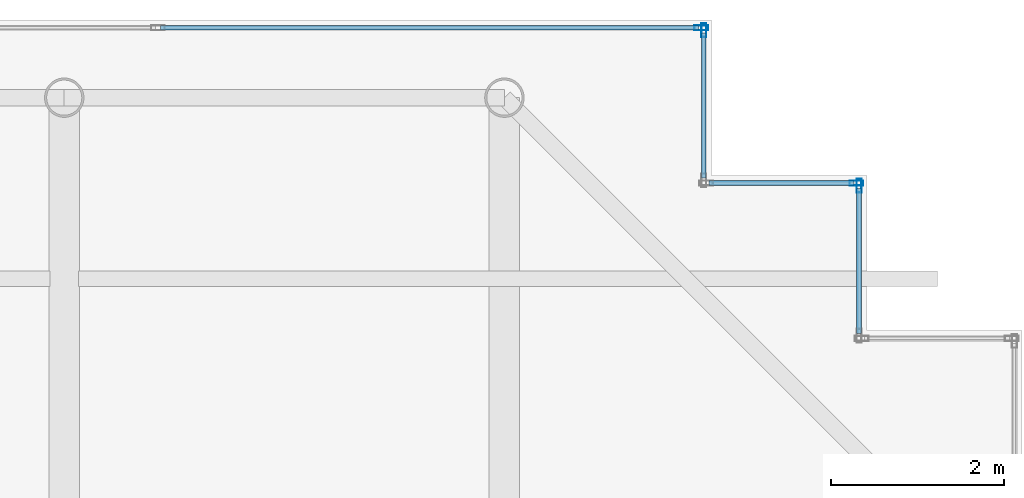
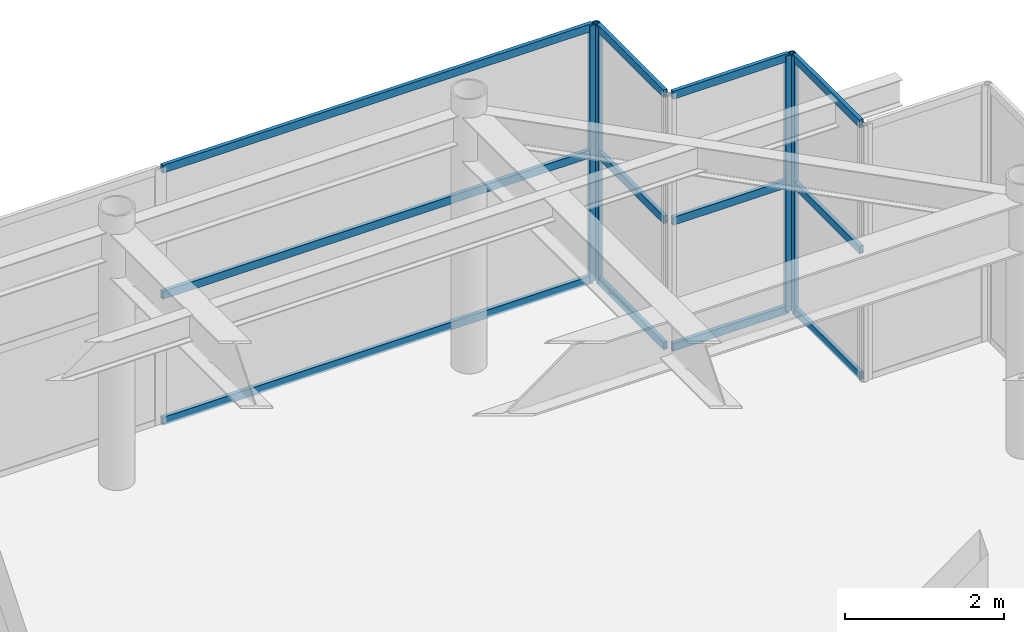
# One storey, part 28 of 32: 16 members, 4 elements without a shape of their own.
"""IFC4 building model written with IfcOpenShell, lengths in metres."""

import ifcopenshell
import ifcopenshell.guid

model = None  # the IFC model being written
_history = None  # IfcOwnerHistory: only IFC2X3 demands one
_inside = {}  # id of a spatial element -> (the spatial element, [elements in it])
_under = {}  # id of a project, library or spatial element -> (it, [spatial elements below it])
_declared = {}  # id of a project -> (the project, [libraries it declares])
_typed = {}  # id of a type object -> (the type object, [elements of that type])
_made_of = {}  # id of a material, layer set ... -> (it, [elements and type objects made of it])


def new_model(schema):
    """Start an empty IFC model of exactly this schema.

    Asked for "IFC4X3", IfcOpenShell would pick the latest addendum, in which some entities
    have other attributes; the version numbers below select the first issue.
    IFC2X3 requires an IfcOwnerHistory on every rooted entity: one is made here for all.
    """
    global model, _history
    if schema == "IFC4X3":
        model = ifcopenshell.file(schema_version=(4, 3, 0, 0))
    else:
        model = ifcopenshell.file(schema=schema)
    _inside.clear()
    _under.clear()
    _declared.clear()
    _typed.clear()
    _made_of.clear()
    _history = None
    if model.schema == "IFC2X3":
        org = make("IfcOrganization", Name="unknown")
        user = make(
            "IfcPersonAndOrganization",
            ThePerson=make("IfcPerson", FamilyName="unknown"),
            TheOrganization=org,
        )
        app = make(
            "IfcApplication",
            ApplicationDeveloper=org,
            Version="unknown",
            ApplicationFullName="unknown",
            ApplicationIdentifier="unknown",
        )
        _history = make(
            "IfcOwnerHistory",
            OwningUser=user,
            OwningApplication=app,
            ChangeAction="ADDED",
            CreationDate=0,
        )
    return model


def make(cls, **values):
    """One entity of the class cls with the attributes given. An attribute that is None is left unset."""
    return model.create_entity(
        cls, **{name: value for name, value in values.items() if value is not None}
    )


def rooted(cls, **values):
    """An entity with a GlobalId (a new one), such as an element, a storey or a relation."""
    return make(cls, GlobalId=ifcopenshell.guid.new(), OwnerHistory=_history, **values)


def si_unit(unit_type, name, prefix=None):
    """IfcSIUnit, for example si_unit("LENGTHUNIT", "METRE", prefix="MILLI")."""
    return make("IfcSIUnit", UnitType=unit_type, Prefix=prefix, Name=name)


def assignment(units):
    """IfcUnitAssignment: the units of a project."""
    return None if units is None else make("IfcUnitAssignment", Units=units)


def point(xyz):
    """IfcCartesianPoint."""
    return None if xyz is None else make("IfcCartesianPoint", Coordinates=xyz)


def direction(xyz):
    """IfcDirection."""
    return None if xyz is None else make("IfcDirection", DirectionRatios=xyz)


def frame(location, z_axis=None, x_axis=None):
    """IfcAxis2Placement3D, a coordinate frame: its origin and axes. An axis left out is left unset."""
    return make(
        "IfcAxis2Placement3D",
        Location=point(location),
        Axis=direction(z_axis),
        RefDirection=direction(x_axis),
    )


def frame_2d(location, x_axis=None):
    """IfcAxis2Placement2D, a coordinate frame in the plane: its origin and x axis."""
    return make(
        "IfcAxis2Placement2D", Location=point(location), RefDirection=direction(x_axis)
    )


def origin():
    """The frame at (0, 0, 0) with its axes left unset."""
    return frame((0.0, 0.0, 0.0))


def origin_2d():
    """The frame at (0, 0) in the plane with its x axis left unset."""
    return frame_2d((0.0, 0.0))


def place(relative_to, where):
    """IfcLocalPlacement: puts the frame where relative to a parent placement (None: the world)."""
    return make(
        "IfcLocalPlacement", PlacementRelTo=relative_to, RelativePlacement=where
    )


def context(
    kind, dimensions, precision=None, world=None, true_north=None, identifier=None
):
    """IfcGeometricRepresentationContext, for example the 3D "Model" context."""
    return make(
        "IfcGeometricRepresentationContext",
        ContextIdentifier=identifier,
        ContextType=kind,
        CoordinateSpaceDimension=dimensions,
        Precision=precision,
        WorldCoordinateSystem=world,
        TrueNorth=true_north,
    )


def subcontext(parent, identifier, kind, view, scale=None):
    """IfcGeometricRepresentationSubContext, for example "Body" below "Model"."""
    return make(
        "IfcGeometricRepresentationSubContext",
        ContextIdentifier=identifier,
        ContextType=kind,
        ParentContext=parent,
        TargetScale=scale,
        TargetView=view,
    )


def project(units=None, contexts=None):
    """IfcProject with its units and contexts."""
    return rooted(
        "IfcProject",
        Name="project",
        RepresentationContexts=contexts,
        UnitsInContext=assignment(units),
    )


def spatial(cls, under=None, at=None, **own):
    """A site, building, storey or space (cls), placed at a placement, below another one or the project."""
    s = rooted(cls, ObjectPlacement=at, **own)
    if under is not None:
        _under.setdefault(under.id(), (under, []))[1].append(s)
    return s


def profile(cls, at=None, kind="AREA", **sizes):
    """A parametric profile (cls). Its sizes go by their IFC names, for example OverallWidth=200.0."""
    return make(cls, ProfileType=kind, Position=at, **sizes)


def hollow_rectangle(**sizes):
    """IfcRectangleHollowProfileDef."""
    return profile("IfcRectangleHollowProfileDef", **sizes)


def extrude(swept, where, along, depth):
    """IfcExtrudedAreaSolid: the profile swept, set in the frame where, extruded along a direction by depth."""
    return make(
        "IfcExtrudedAreaSolid",
        SweptArea=swept,
        Position=where,
        ExtrudedDirection=direction(along),
        Depth=depth,
    )


def shape(context_of_items, identifier, shape_type, items):
    """IfcShapeRepresentation: the items that make up one representation, for example the "Body"."""
    return make(
        "IfcShapeRepresentation",
        ContextOfItems=context_of_items,
        RepresentationIdentifier=identifier,
        RepresentationType=shape_type,
        Items=items,
    )


def source(mapping_origin, context_of_items, identifier, shape_type, items):
    """IfcRepresentationMap: a shape defined once, which mapped items show again and again."""
    return make(
        "IfcRepresentationMap",
        MappingOrigin=mapping_origin,
        MappedRepresentation=shape(context_of_items, identifier, shape_type, items),
    )


def transform(
    local_origin,
    x_axis=None,
    y_axis=None,
    z_axis=None,
    scale=None,
    scale2=None,
    scale3=None,
    uniform=True,
):
    """IfcCartesianTransformationOperator3D, or its non-uniform kind. x_axis, y_axis, z_axis: its Axis1, 2, 3."""
    if uniform:
        return make(
            "IfcCartesianTransformationOperator3D",
            Axis1=direction(x_axis),
            Axis2=direction(y_axis),
            LocalOrigin=point(local_origin),
            Scale=scale,
            Axis3=direction(z_axis),
        )
    return make(
        "IfcCartesianTransformationOperator3DnonUniform",
        Axis1=direction(x_axis),
        Axis2=direction(y_axis),
        LocalOrigin=point(local_origin),
        Scale=scale,
        Axis3=direction(z_axis),
        Scale2=scale2,
        Scale3=scale3,
    )


def mapped(mapping_source, mapping_target):
    """IfcMappedItem: shows the shape of a source again, moved by a transform."""
    return make(
        "IfcMappedItem", MappingSource=mapping_source, MappingTarget=mapping_target
    )


def material(Name=None, Category=None):
    """IfcMaterial."""
    return make("IfcMaterial", Name=Name, Category=Category)


def layer(
    of_material, thickness, ventilated=None, Name=None, Category=None, Priority=None
):
    """IfcMaterialLayer: one layer of a wall or slab, of a material (None: an air gap)."""
    return make(
        "IfcMaterialLayer",
        Material=of_material,
        LayerThickness=thickness,
        IsVentilated=ventilated,
        Name=Name,
        Category=Category,
        Priority=Priority,
    )


def layer_set(layers, Name=None):
    """IfcMaterialLayerSet."""
    return make("IfcMaterialLayerSet", MaterialLayers=layers, LayerSetName=Name)


def material_profile(
    of_material, cross_section, Name=None, Category=None, Priority=None
):
    """IfcMaterialProfile: a cross section and its material."""
    return make(
        "IfcMaterialProfile",
        Name=Name,
        Material=of_material,
        Profile=cross_section,
        Priority=Priority,
        Category=Category,
    )


def profile_set(profiles, Name=None, composite=None):
    """IfcMaterialProfileSet."""
    return make(
        "IfcMaterialProfileSet",
        Name=Name,
        MaterialProfiles=profiles,
        CompositeProfile=composite,
    )


def made_of(thing, what):
    """Note that an element or type object is made of a material, layer set ...; save() writes the relation."""
    if what is not None:
        _made_of.setdefault(what.id(), (what, []))[1].append(thing)
    return thing


def type_object(cls, material=None, **own):
    """A type object (cls), such as IfcWallType, which elements share."""
    return made_of(rooted(cls, **own), material)


def element(
    cls,
    number,
    at=None,
    inside=None,
    cuts=None,
    type_object=None,
    material=None,
    context=None,
    identifier="Body",
    shape_type=None,
    held_by="IfcProductDefinitionShape",
    body=None,
    shapes=None,
    **own,
):
    """One element of the class cls, such as IfcWall. Its Tag is "e" and its number.

    at: its placement. inside: the storey or other place that contains it. cuts: it is an
    opening in that element (IfcRelVoidsElement). A single representation is given by context,
    identifier, shape_type and body (its items); several are given by shapes. held_by: the class
    of the entity that holds the representations. save() writes the other relations.
    """
    e = rooted(cls, Tag="e%d" % number, ObjectPlacement=at, **own)
    if body is not None:
        shapes = [shape(context, identifier, shape_type, body)]
    if shapes is not None:
        e.Representation = make(held_by, Representations=shapes)
    if inside is not None:
        _inside.setdefault(inside.id(), (inside, []))[1].append(e)
    if cuts is not None:
        rooted(
            "IfcRelVoidsElement", RelatingBuildingElement=cuts, RelatedOpeningElement=e
        )
    if type_object is not None:
        _typed.setdefault(type_object.id(), (type_object, []))[1].append(e)
    return made_of(e, material)


def aggregate(whole, parts):
    """IfcRelAggregates: a whole, such as a stair, and the parts it consists of."""
    return rooted("IfcRelAggregates", RelatingObject=whole, RelatedObjects=parts)


def save(model, path):
    """Write the relations noted so far, then the file.

    IfcRelAggregates (storeys below a building ...), IfcRelContainedInSpatialStructure (elements
    in a storey), IfcRelDefinesByType, IfcRelAssociatesMaterial and IfcRelDeclares: one each for
    every whole, place, type object, material and project.
    """
    for whole, parts in _under.values():
        aggregate(whole, parts)
    for where, things in _inside.values():
        rooted(
            "IfcRelContainedInSpatialStructure",
            RelatedElements=things,
            RelatingStructure=where,
        )
    for kind, things in _typed.values():
        rooted("IfcRelDefinesByType", RelatedObjects=things, RelatingType=kind)
    for what, things in _made_of.values():
        rooted("IfcRelAssociatesMaterial", RelatedObjects=things, RelatingMaterial=what)
    for by, libraries in _declared.values():
        rooted("IfcRelDeclares", RelatingContext=by, RelatedDefinitions=libraries)
    model.write(path)


model = new_model("IFC4")

# Units and contexts
model_context = context("Model", 3, precision=1e-05, world=origin(), true_north=direction((0.0, 1.0)))
body_context = subcontext(model_context, "Body", "Model", "MODEL_VIEW")
ifc_project = project(units=[si_unit("LENGTHUNIT", "METRE"), si_unit("AREAUNIT", "SQUARE_METRE"), si_unit("VOLUMEUNIT", "CUBIC_METRE"), si_unit("PLANEANGLEUNIT", "RADIAN"), si_unit("MASSUNIT", "GRAM", prefix="KILO")], contexts=[model_context])

# Site, building, storey
site_placement = place(None, origin())
site = spatial("IfcSite", under=ifc_project, at=site_placement, CompositionType="ELEMENT")
building_placement = place(site_placement, origin())
building = spatial("IfcBuilding", under=site, at=building_placement, Name="Khoralis Quay Care Tower", CompositionType="ELEMENT")
storey_placement = place(building_placement, frame((0.0, 0.0, 310.5)))
storey = spatial("IfcBuildingStorey", under=building, at=storey_placement, Name="L81", CompositionType="ELEMENT", Elevation=310.5)

# Curtain wall, members
ifc_material = material(Name="Pale anodised aluminium", Category="aluminium")
ifc_layer = layer(ifc_material, 0.199951171875)
ifc_layer_set = layer_set([ifc_layer], Name="Pale anodised aluminium")
curtain_wall_type = type_object("IfcCurtainWallType", Name="CW-SYS-LANTERN", PredefinedType="NOTDEFINED", material=ifc_layer_set)
curtain_wall_1_placement = place(storey_placement, origin())
curtain_wall_1 = element("IfcCurtainWall", 1, at=curtain_wall_1_placement, inside=storey, type_object=curtain_wall_type, Name="L81 Unitised Curtain Wall CW-LN-L81-11", PredefinedType="NOTDEFINED")
ifc_material_profile_1 = material_profile(ifc_material, hollow_rectangle(XDim=0.054931640625, YDim=0.1201171875, WallThickness=0.00390625, at=origin_2d()), Name="Pale anodised aluminium")
ifc_profile_set_1 = profile_set([ifc_material_profile_1], Name="Pale anodised aluminium")
member_type_1 = type_object("IfcMemberType", Name="CW-TRN-120", PredefinedType="USERDEFINED", material=ifc_profile_set_1)
shared_shape_1 = source(origin(), body_context, "Body", "SweptSolid", [
    extrude(hollow_rectangle(XDim=0.054931640625, YDim=0.1201171875, WallThickness=0.00390625, at=origin_2d()), origin(), (0.0, 0.0, 1.0), 6.23388671875),
])
member_1_placement = place(storey_placement, frame((38.25, 41.909912109375, 0.030029296875), z_axis=(-1.0, 0.0, 0.0), x_axis=(0.0, -1.0, 0.0)))
member_1 = element("IfcMember", 2, at=member_1_placement, type_object=member_type_1, Name="CW5 transom 1.1", ObjectType="TRANSOM", PredefinedType="USERDEFINED", context=body_context, shape_type="MappedRepresentation", body=[
    mapped(shared_shape_1, transform((0.0, 0.0, 0.0), scale=1.0)),
])
member_2_placement = place(storey_placement, frame((38.25, 41.909912109375, 1.9599609375), z_axis=(-1.0, 0.0, 0.0), x_axis=(0.0, -1.0, 0.0)))
member_2 = element("IfcMember", 3, at=member_2_placement, type_object=member_type_1, Name="CW5 transom 1.2", ObjectType="TRANSOM", PredefinedType="USERDEFINED", context=body_context, shape_type="MappedRepresentation", body=[
    mapped(shared_shape_1, transform((0.0, 0.0, 0.0), scale=1.0)),
])
member_3_placement = place(storey_placement, frame((38.25, 41.909912109375, 3.889892578125), z_axis=(-1.0, 0.0, 0.0), x_axis=(0.0, -1.0, 0.0)))
member_3 = element("IfcMember", 4, at=member_3_placement, type_object=member_type_1, Name="CW5 transom 1.3", ObjectType="TRANSOM", PredefinedType="USERDEFINED", context=body_context, shape_type="MappedRepresentation", body=[
    mapped(shared_shape_1, transform((0.0, 0.0, 0.0), scale=1.0)),
])

curtain_wall_2_placement = place(storey_placement, origin())
curtain_wall_2 = element("IfcCurtainWall", 5, at=curtain_wall_2_placement, inside=storey, type_object=curtain_wall_type, Name="L81 Unitised Curtain Wall CW-LN-L81-10", PredefinedType="NOTDEFINED")
shared_shape_2 = source(origin(), body_context, "Body", "SweptSolid", [
    extrude(hollow_rectangle(XDim=0.054931640625, YDim=0.1201171875, WallThickness=0.00390625, at=origin_2d()), origin(), (0.0, 0.0, 1.0), 1.68017578125),
])
member_4_placement = place(storey_placement, frame((38.31005859375, 40.169921875, 0.030029296875), z_axis=(0.0, 1.0, 0.0), x_axis=(-1.0, 0.0, 0.0)))
member_4 = element("IfcMember", 6, at=member_4_placement, type_object=member_type_1, Name="CW5 transom 1.1", ObjectType="TRANSOM", PredefinedType="USERDEFINED", context=body_context, shape_type="MappedRepresentation", body=[
    mapped(shared_shape_2, transform((0.0, 0.0, 0.0), scale=1.0)),
])
member_5_placement = place(storey_placement, frame((38.31005859375, 40.169921875, 1.9599609375), z_axis=(0.0, 1.0, 0.0), x_axis=(-1.0, 0.0, 0.0)))
member_5 = element("IfcMember", 7, at=member_5_placement, type_object=member_type_1, Name="CW5 transom 1.2", ObjectType="TRANSOM", PredefinedType="USERDEFINED", context=body_context, shape_type="MappedRepresentation", body=[
    mapped(shared_shape_2, transform((0.0, 0.0, 0.0), scale=1.0)),
])
member_6_placement = place(storey_placement, frame((38.31005859375, 40.169921875, 3.889892578125), z_axis=(0.0, 1.0, 0.0), x_axis=(-1.0, 0.0, 0.0)))
member_6 = element("IfcMember", 8, at=member_6_placement, type_object=member_type_1, Name="CW5 transom 1.3", ObjectType="TRANSOM", PredefinedType="USERDEFINED", context=body_context, shape_type="MappedRepresentation", body=[
    mapped(shared_shape_2, transform((0.0, 0.0, 0.0), scale=1.0)),
])

curtain_wall_3_placement = place(storey_placement, origin())
curtain_wall_3 = element("IfcCurtainWall", 9, at=curtain_wall_3_placement, inside=storey, type_object=curtain_wall_type, Name="L81 Unitised Curtain Wall CW-LN-L81-08", PredefinedType="NOTDEFINED")
shared_shape_3 = source(origin(), body_context, "Body", "SweptSolid", [
    extrude(hollow_rectangle(XDim=0.054931640625, YDim=0.1201171875, WallThickness=0.00390625, at=origin_2d()), origin(), (0.0, 0.0, 1.0), 1.679931640625),
])
member_7_placement = place(storey_placement, frame((40.110107421875, 38.3701171875, 0.030029296875), z_axis=(0.0, 1.0, 0.0), x_axis=(-1.0, 0.0, 0.0)))
member_7 = element("IfcMember", 10, at=member_7_placement, type_object=member_type_1, Name="CW5 transom 1.1", ObjectType="TRANSOM", PredefinedType="USERDEFINED", context=body_context, shape_type="MappedRepresentation", body=[
    mapped(shared_shape_3, transform((0.0, 0.0, 0.0), scale=1.0)),
])
member_8_placement = place(storey_placement, frame((40.110107421875, 38.3701171875, 1.9599609375), z_axis=(0.0, 1.0, 0.0), x_axis=(-1.0, 0.0, 0.0)))
member_8 = element("IfcMember", 11, at=member_8_placement, type_object=member_type_1, Name="CW5 transom 1.2", ObjectType="TRANSOM", PredefinedType="USERDEFINED", context=body_context, shape_type="MappedRepresentation", body=[
    mapped(shared_shape_3, transform((0.0, 0.0, 0.0), scale=1.0)),
])
member_9_placement = place(storey_placement, frame((40.110107421875, 38.3701171875, 3.889892578125), z_axis=(0.0, 1.0, 0.0), x_axis=(-1.0, 0.0, 0.0)))
member_9 = element("IfcMember", 12, at=member_9_placement, type_object=member_type_1, Name="CW5 transom 1.3", ObjectType="TRANSOM", PredefinedType="USERDEFINED", context=body_context, shape_type="MappedRepresentation", body=[
    mapped(shared_shape_3, transform((0.0, 0.0, 0.0), scale=1.0)),
])

curtain_wall_4_placement = place(storey_placement, origin())
curtain_wall_4 = element("IfcCurtainWall", 13, at=curtain_wall_4_placement, inside=storey, type_object=curtain_wall_type, Name="L81 Unitised Curtain Wall CW-LN-L81-09", PredefinedType="NOTDEFINED")
member_10_placement = place(storey_placement, frame((40.050048828125, 40.110107421875, 0.030029296875), z_axis=(-1.0, 0.0, 0.0), x_axis=(0.0, -1.0, 0.0)))
member_10 = element("IfcMember", 14, at=member_10_placement, type_object=member_type_1, Name="CW5 transom 1.1", ObjectType="TRANSOM", PredefinedType="USERDEFINED", context=body_context, shape_type="MappedRepresentation", body=[
    mapped(shared_shape_3, transform((0.0, 0.0, 0.0), scale=1.0)),
])
member_11_placement = place(storey_placement, frame((40.050048828125, 40.110107421875, 1.9599609375), z_axis=(-1.0, 0.0, 0.0), x_axis=(0.0, -1.0, 0.0)))
member_11 = element("IfcMember", 15, at=member_11_placement, type_object=member_type_1, Name="CW5 transom 1.2", ObjectType="TRANSOM", PredefinedType="USERDEFINED", context=body_context, shape_type="MappedRepresentation", body=[
    mapped(shared_shape_3, transform((0.0, 0.0, 0.0), scale=1.0)),
])
member_12_placement = place(storey_placement, frame((40.050048828125, 40.110107421875, 3.889892578125), z_axis=(-1.0, 0.0, 0.0), x_axis=(0.0, -1.0, 0.0)))
member_12 = element("IfcMember", 16, at=member_12_placement, type_object=member_type_1, Name="CW5 transom 1.3", ObjectType="TRANSOM", PredefinedType="USERDEFINED", context=body_context, shape_type="MappedRepresentation", body=[
    mapped(shared_shape_3, transform((0.0, 0.0, 0.0), scale=1.0)),
])

# Member
ifc_material_profile_2 = material_profile(ifc_material, hollow_rectangle(XDim=0.06005859375, YDim=0.159912109375, WallThickness=0.00390625, at=origin_2d()), Name="Pale anodised aluminium")
ifc_profile_set_2 = profile_set([ifc_material_profile_2], Name="Pale anodised aluminium")
member_type_2 = type_object("IfcMemberType", Name="CW-MUL-160", PredefinedType="MULLION", material=ifc_profile_set_2)
shared_shape_4 = source(origin(), body_context, "Body", "SweptSolid", [
    extrude(hollow_rectangle(XDim=0.06005859375, YDim=0.159912109375, WallThickness=0.00390625, at=origin_2d()), origin(), (0.0, 0.0, 1.0), 3.919921875),
])
member_13_placement = place(storey_placement, frame((40.110107421875, 40.080078125, 0.0), z_axis=(0.0, 0.0, 1.0), x_axis=(-1.0, 0.0, 0.0)))
member_13 = element("IfcMember", 17, at=member_13_placement, type_object=member_type_2, Name="CW5 mullion 2", PredefinedType="MULLION", context=body_context, shape_type="MappedRepresentation", body=[
    mapped(shared_shape_4, transform((0.0, 0.0, 0.0), scale=1.0)),
])

aggregate(curtain_wall_3, [member_13, member_7, member_8, member_9])

member_14_placement = place(storey_placement, frame((40.080078125, 40.110107421875, 0.0), z_axis=(0.0, 0.0, 1.0), x_axis=(0.0, -1.0, 0.0)))
member_14 = element("IfcMember", 18, at=member_14_placement, type_object=member_type_2, Name="CW5 mullion 1", PredefinedType="MULLION", context=body_context, shape_type="MappedRepresentation", body=[
    mapped(shared_shape_4, transform((0.0, 0.0, 0.0), scale=1.0)),
])

aggregate(curtain_wall_4, [member_14, member_10, member_11, member_12])

member_15_placement = place(storey_placement, frame((38.31005859375, 41.8798828125, 0.0), z_axis=(0.0, 0.0, 1.0), x_axis=(-1.0, 0.0, 0.0)))
member_15 = element("IfcMember", 19, at=member_15_placement, type_object=member_type_2, Name="CW5 mullion 2", PredefinedType="MULLION", context=body_context, shape_type="MappedRepresentation", body=[
    mapped(shared_shape_4, transform((0.0, 0.0, 0.0), scale=1.0)),
])

aggregate(curtain_wall_2, [member_15, member_4, member_5, member_6])

member_16_placement = place(storey_placement, frame((38.280029296875, 41.909912109375, 0.0), z_axis=(0.0, 0.0, 1.0), x_axis=(0.0, -1.0, 0.0)))
member_16 = element("IfcMember", 20, at=member_16_placement, type_object=member_type_2, Name="CW5 mullion 1", PredefinedType="MULLION", context=body_context, shape_type="MappedRepresentation", body=[
    mapped(shared_shape_4, transform((0.0, 0.0, 0.0), scale=1.0)),
])

aggregate(curtain_wall_1, [member_16, member_1, member_2, member_3])

save(model, "model.ifc")
